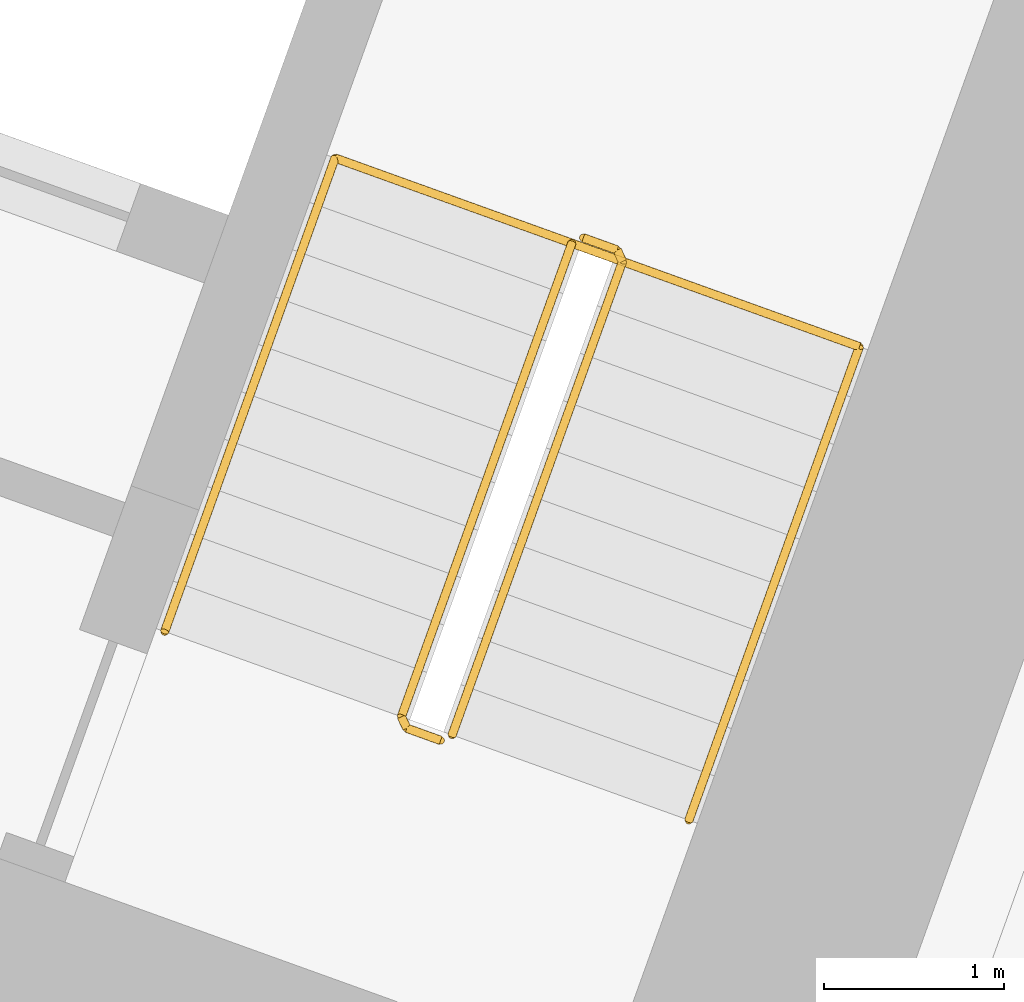
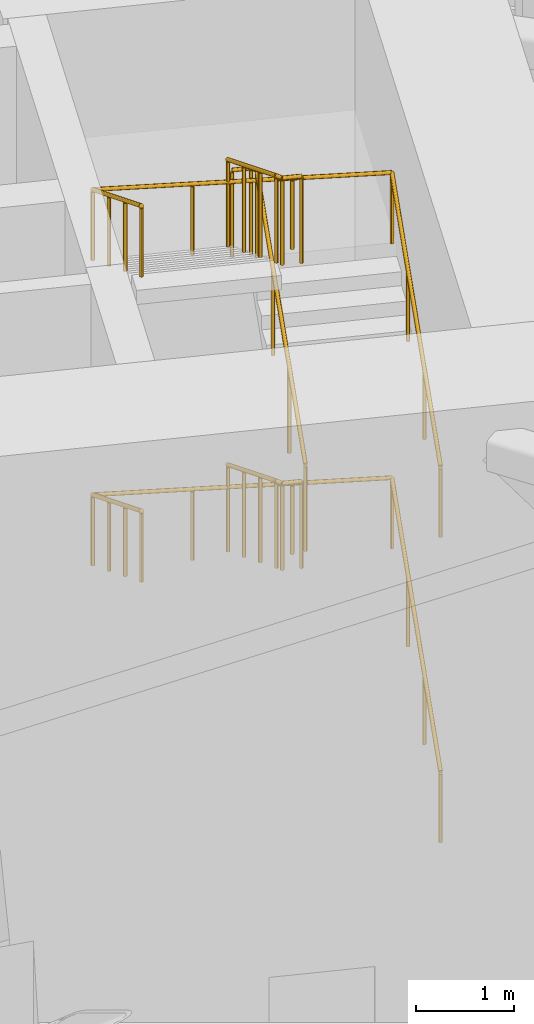
# One storey, part 32 of 32: 5 railings.
"""IFC4 building model written with IfcOpenShell, lengths in metres."""

from ifc_helpers import new_model, si_unit, direction, frame, origin, origin_2d, place, context, subcontext, project, spatial, circle, extrude, material, type_object, element, save


model = new_model("IFC4")

# Units and contexts
model_context = context("Model", 3, precision=1e-05, world=origin(), true_north=direction((0.0, 1.0)))
body_context = subcontext(model_context, "Body", "Model", "MODEL_VIEW")
ifc_project = project(units=[si_unit("LENGTHUNIT", "METRE"), si_unit("AREAUNIT", "SQUARE_METRE"), si_unit("VOLUMEUNIT", "CUBIC_METRE"), si_unit("PLANEANGLEUNIT", "RADIAN"), si_unit("MASSUNIT", "GRAM", prefix="KILO")], contexts=[model_context])

# Site, building, storey
site_placement = place(None, origin())
site = spatial("IfcSite", under=ifc_project, at=site_placement, CompositionType="ELEMENT")
building_placement = place(site_placement, origin())
building = spatial("IfcBuilding", under=site, at=building_placement, Name="Stone Belt Terrace Tower", CompositionType="ELEMENT")
storey_placement = place(building_placement, frame((0.0, 0.0, 193.39990234375)))
storey = spatial("IfcBuildingStorey", under=building, at=storey_placement, Name="L47", CompositionType="ELEMENT", Elevation=193.39990234375)

# Railings
ifc_material = material(Name="Structural steel C345", Category="steel")
railing_type_1 = type_object("IfcRailingType", Name="Stair guard 1100", PredefinedType="GUARDRAIL", material=ifc_material)
railing_1_placement = place(storey_placement, frame((25.16015625, 47.91064453125, 2.07275390625)))
element("IfcRailing", 1, at=railing_1_placement, inside=storey, type_object=railing_type_1, Name="L47 ST1B stair guard 2", PredefinedType="GUARDRAIL", context=body_context, shape_type="SweptSolid", body=[
    extrude(circle(Radius=0.02392578125, at=origin_2d()), frame((0.0, 0.0, 1.076171875), z_axis=(-0.288228637646, -0.800791768495, 0.525030280985), x_axis=(0.940908529223, -0.338660803216, 0.0)), (0.0, 0.0, 1.0), 3.289794921875),
    extrude(circle(Radius=0.02392578125, at=origin_2d()), frame((-0.9482421875, -2.634521484375, 2.80322265625), z_axis=(0.427789722475, -0.903878284585, 0.0), x_axis=(0.903878284585, 0.427789722475, 0.0)), (0.0, 0.0, 1.0), 0.07080078125),
    extrude(circle(Radius=0.02392578125, at=origin_2d()), frame((-0.91796875, -2.698486328125, 2.80322265625), z_axis=(0.940575576748, -0.339584429008, 0.0), x_axis=(0.339584429008, 0.940575576748, 0.0)), (0.0, 0.0, 1.0), 0.199951171875),
    extrude(circle(Radius=0.02099609375, at=origin_2d()), origin(), (0.0, 0.0, 1.0), 1.052001953125),
    extrude(circle(Radius=0.02099609375, at=origin_2d()), frame((-0.316162109375, -0.878173828125, 0.57568359375)), (0.0, 0.0, 1.0), 1.052001953125),
    extrude(circle(Radius=0.02099609375, at=origin_2d()), frame((-0.632080078125, -1.75634765625, 1.151611328125)), (0.0, 0.0, 1.0), 1.052001953125),
    extrude(circle(Radius=0.02099609375, at=origin_2d()), frame((-0.9482421875, -2.634521484375, 1.727294921875)), (0.0, 0.0, 1.0), 1.052001953125),
    extrude(circle(Radius=0.02099609375, at=origin_2d()), frame((-0.91796875, -2.698486328125, 1.727294921875)), (0.0, 0.0, 1.0), 1.052001953125),
    extrude(circle(Radius=0.02099609375, at=origin_2d()), frame((-0.72998046875, -2.766357421875, 1.727294921875)), (0.0, 0.0, 1.0), 1.052001953125),
])
railing_2_placement = place(storey_placement, frame((24.494140625, 45.174560546875, 3.972900390625)))
element("IfcRailing", 2, at=railing_2_placement, inside=storey, type_object=railing_type_1, Name="L47 ST1B stair guard 3", PredefinedType="GUARDRAIL", context=body_context, shape_type="SweptSolid", body=[
    extrude(circle(Radius=0.02392578125, at=origin_2d()), frame((0.0, 0.0, 1.076171875), z_axis=(0.288228637646, 0.800791768495, 0.525030280985), x_axis=(-0.940908529223, 0.338660803216, 0.0)), (0.0, 0.0, 1.0), 3.289794921875),
    extrude(circle(Radius=0.02392578125, at=origin_2d()), frame((0.9482421875, 2.634521484375, 2.80322265625), z_axis=(-0.424964916, 0.905209821074, 0.0), x_axis=(-0.905209821074, -0.424964916, 0.0)), (0.0, 0.0, 1.0), 0.070556640625),
    extrude(circle(Radius=0.02392578125, at=origin_2d()), frame((0.918212890625, 2.698486328125, 2.80322265625), z_axis=(-0.941105063269, 0.338114270461, 0.0), x_axis=(-0.338114270461, -0.941105063269, 0.0)), (0.0, 0.0, 1.0), 0.199951171875),
    extrude(circle(Radius=0.02099609375, at=origin_2d()), origin(), (0.0, 0.0, 1.0), 1.052001953125),
    extrude(circle(Radius=0.02099609375, at=origin_2d()), frame((0.316162109375, 0.878173828125, 0.57568359375)), (0.0, 0.0, 1.0), 1.052001953125),
    extrude(circle(Radius=0.02099609375, at=origin_2d()), frame((0.632080078125, 1.75634765625, 1.151611328125)), (0.0, 0.0, 1.0), 1.052001953125),
    extrude(circle(Radius=0.02099609375, at=origin_2d()), frame((0.9482421875, 2.634521484375, 1.727294921875)), (0.0, 0.0, 1.0), 1.052001953125),
    extrude(circle(Radius=0.02099609375, at=origin_2d()), frame((0.918212890625, 2.698486328125, 1.727294921875)), (0.0, 0.0, 1.0), 1.052001953125),
    extrude(circle(Radius=0.02099609375, at=origin_2d()), frame((0.72998046875, 2.76611328125, 1.727294921875)), (0.0, 0.0, 1.0), 1.052001953125),
])
railing_3_placement = place(storey_placement, frame((25.16015625, 47.91064453125, 5.872802734375)))
element("IfcRailing", 3, at=railing_3_placement, inside=storey, type_object=railing_type_1, Name="L47 ST1B stair guard 4", PredefinedType="GUARDRAIL", context=body_context, shape_type="SweptSolid", body=[
    extrude(circle(Radius=0.02392578125, at=origin_2d()), frame((0.0, 0.0, 1.076171875), z_axis=(-0.288228637646, -0.800791768495, 0.525030280985), x_axis=(0.940908529223, -0.338660803216, 0.0)), (0.0, 0.0, 1.0), 3.289794921875),
    extrude(circle(Radius=0.02392578125, at=origin_2d()), frame((-0.9482421875, -2.634521484375, 2.80322265625), z_axis=(0.427789722475, -0.903878284585, 0.0), x_axis=(0.903878284585, 0.427789722475, 0.0)), (0.0, 0.0, 1.0), 0.07080078125),
    extrude(circle(Radius=0.02392578125, at=origin_2d()), frame((-0.91796875, -2.698486328125, 2.80322265625), z_axis=(0.940575576748, -0.339584429008, 0.0), x_axis=(0.339584429008, 0.940575576748, 0.0)), (0.0, 0.0, 1.0), 0.199951171875),
    extrude(circle(Radius=0.02099609375, at=origin_2d()), origin(), (0.0, 0.0, 1.0), 1.052001953125),
    extrude(circle(Radius=0.02099609375, at=origin_2d()), frame((-0.316162109375, -0.878173828125, 0.57568359375)), (0.0, 0.0, 1.0), 1.052001953125),
    extrude(circle(Radius=0.02099609375, at=origin_2d()), frame((-0.632080078125, -1.75634765625, 1.151611328125)), (0.0, 0.0, 1.0), 1.052001953125),
    extrude(circle(Radius=0.02099609375, at=origin_2d()), frame((-0.9482421875, -2.634521484375, 1.727294921875)), (0.0, 0.0, 1.0), 1.052001953125),
    extrude(circle(Radius=0.02099609375, at=origin_2d()), frame((-0.91796875, -2.698486328125, 1.727294921875)), (0.0, 0.0, 1.0), 1.052001953125),
    extrude(circle(Radius=0.02099609375, at=origin_2d()), frame((-0.72998046875, -2.766357421875, 1.727294921875)), (0.0, 0.0, 1.0), 1.052001953125),
])
railing_type_2 = type_object("IfcRailingType", Name="Stair handrail 900", PredefinedType="HANDRAIL", material=ifc_material)
railing_4_placement = place(storey_placement, frame((25.8115234375, 44.700439453125, 0.1728515625)))
element("IfcRailing", 4, at=railing_4_placement, inside=storey, type_object=railing_type_2, Name="L47 ST1B stair handrail 1", PredefinedType="HANDRAIL", context=body_context, shape_type="SweptSolid", body=[
    extrude(circle(Radius=0.02392578125, at=origin_2d()), frame((0.0, 0.0, 0.8759765625), z_axis=(0.288228637646, 0.800791768495, 0.525030280985), x_axis=(-0.940908529223, 0.338660803216, 0.0)), (0.0, 0.0, 1.0), 3.289794921875),
    extrude(circle(Radius=0.02392578125, at=origin_2d()), frame((0.9482421875, 2.634521484375, 2.60302734375), z_axis=(-0.939464517435, 0.338106580597, 0.055591012205), x_axis=(-0.338630230244, -0.940919532779, 0.0)), (0.0, 0.0, 1.0), 3.10498046875),
    extrude(circle(Radius=0.02392578125, at=origin_2d()), frame((-1.96875, 3.684326171875, 2.77587890625), z_axis=(-0.288160591223, -0.800808895155, 0.52504150989), x_axis=(0.940936311087, -0.338583606334, 0.0)), (0.0, 0.0, 1.0), 3.289794921875),
    extrude(circle(Radius=0.02099609375, at=origin_2d()), origin(), (0.0, 0.0, 1.0), 0.851806640625),
    extrude(circle(Radius=0.02099609375, at=origin_2d()), frame((0.316162109375, 0.878173828125, 0.57568359375)), (0.0, 0.0, 1.0), 0.851806640625),
    extrude(circle(Radius=0.02099609375, at=origin_2d()), frame((0.632080078125, 1.75634765625, 1.151611328125)), (0.0, 0.0, 1.0), 0.851806640625),
    extrude(circle(Radius=0.02099609375, at=origin_2d()), frame((0.9482421875, 2.634521484375, 1.727294921875)), (0.0, 0.0, 1.0), 0.851806640625),
    extrude(circle(Radius=0.02099609375, at=origin_2d()), frame((-0.024169921875, 2.984375, 1.784912109375)), (0.0, 0.0, 1.0), 0.851806640625),
    extrude(circle(Radius=0.02099609375, at=origin_2d()), frame((-0.996337890625, 3.33447265625, 1.84228515625)), (0.0, 0.0, 1.0), 0.851806640625),
    extrude(circle(Radius=0.02099609375, at=origin_2d()), frame((-1.96875, 3.684326171875, 1.89990234375)), (0.0, 0.0, 1.0), 0.851806640625),
    extrude(circle(Radius=0.02099609375, at=origin_2d()), frame((-2.28466796875, 2.80615234375, 2.4755859375)), (0.0, 0.0, 1.0), 0.851806640625),
    extrude(circle(Radius=0.02099609375, at=origin_2d()), frame((-2.600830078125, 1.927978515625, 3.051513671875)), (0.0, 0.0, 1.0), 0.851806640625),
    extrude(circle(Radius=0.02099609375, at=origin_2d()), frame((-2.916748046875, 1.0498046875, 3.627197265625)), (0.0, 0.0, 1.0), 0.851806640625),
])
railing_5_placement = place(storey_placement, frame((25.8115234375, 44.700439453125, 3.972900390625)))
element("IfcRailing", 5, at=railing_5_placement, inside=storey, type_object=railing_type_2, Name="L47 ST1B stair handrail 2", PredefinedType="HANDRAIL", context=body_context, shape_type="SweptSolid", body=[
    extrude(circle(Radius=0.02392578125, at=origin_2d()), frame((0.0, 0.0, 0.8759765625), z_axis=(0.288228637646, 0.800791768495, 0.525030280985), x_axis=(-0.940908529223, 0.338660803216, 0.0)), (0.0, 0.0, 1.0), 3.289794921875),
    extrude(circle(Radius=0.02392578125, at=origin_2d()), frame((0.9482421875, 2.634521484375, 2.60302734375), z_axis=(-0.939464517435, 0.338106580597, 0.055591012205), x_axis=(-0.338630230244, -0.940919532779, 0.0)), (0.0, 0.0, 1.0), 3.10498046875),
    extrude(circle(Radius=0.02392578125, at=origin_2d()), frame((-1.96875, 3.684326171875, 2.77587890625), z_axis=(-0.288160591223, -0.800808895155, 0.52504150989), x_axis=(0.940936311087, -0.338583606334, 0.0)), (0.0, 0.0, 1.0), 3.289794921875),
    extrude(circle(Radius=0.02099609375, at=origin_2d()), origin(), (0.0, 0.0, 1.0), 0.851806640625),
    extrude(circle(Radius=0.02099609375, at=origin_2d()), frame((0.316162109375, 0.878173828125, 0.57568359375)), (0.0, 0.0, 1.0), 0.851806640625),
    extrude(circle(Radius=0.02099609375, at=origin_2d()), frame((0.632080078125, 1.75634765625, 1.151611328125)), (0.0, 0.0, 1.0), 0.851806640625),
    extrude(circle(Radius=0.02099609375, at=origin_2d()), frame((0.9482421875, 2.634521484375, 1.727294921875)), (0.0, 0.0, 1.0), 0.851806640625),
    extrude(circle(Radius=0.02099609375, at=origin_2d()), frame((-0.024169921875, 2.984375, 1.784912109375)), (0.0, 0.0, 1.0), 0.851806640625),
    extrude(circle(Radius=0.02099609375, at=origin_2d()), frame((-0.996337890625, 3.33447265625, 1.84228515625)), (0.0, 0.0, 1.0), 0.851806640625),
    extrude(circle(Radius=0.02099609375, at=origin_2d()), frame((-1.96875, 3.684326171875, 1.89990234375)), (0.0, 0.0, 1.0), 0.851806640625),
    extrude(circle(Radius=0.02099609375, at=origin_2d()), frame((-2.28466796875, 2.80615234375, 2.4755859375)), (0.0, 0.0, 1.0), 0.851806640625),
    extrude(circle(Radius=0.02099609375, at=origin_2d()), frame((-2.600830078125, 1.927978515625, 3.051513671875)), (0.0, 0.0, 1.0), 0.851806640625),
    extrude(circle(Radius=0.02099609375, at=origin_2d()), frame((-2.916748046875, 1.0498046875, 3.627197265625)), (0.0, 0.0, 1.0), 0.851806640625),
])

save(model, "model.ifc")
